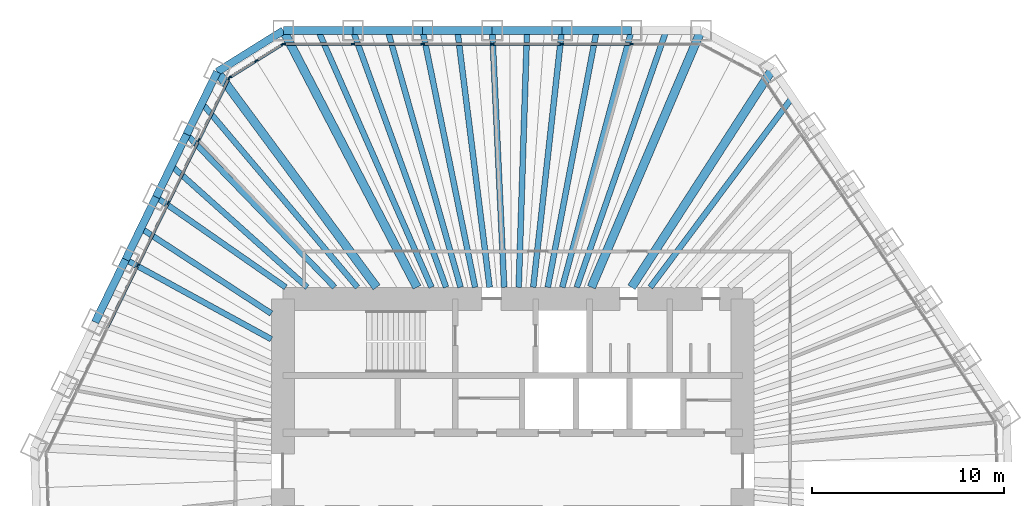
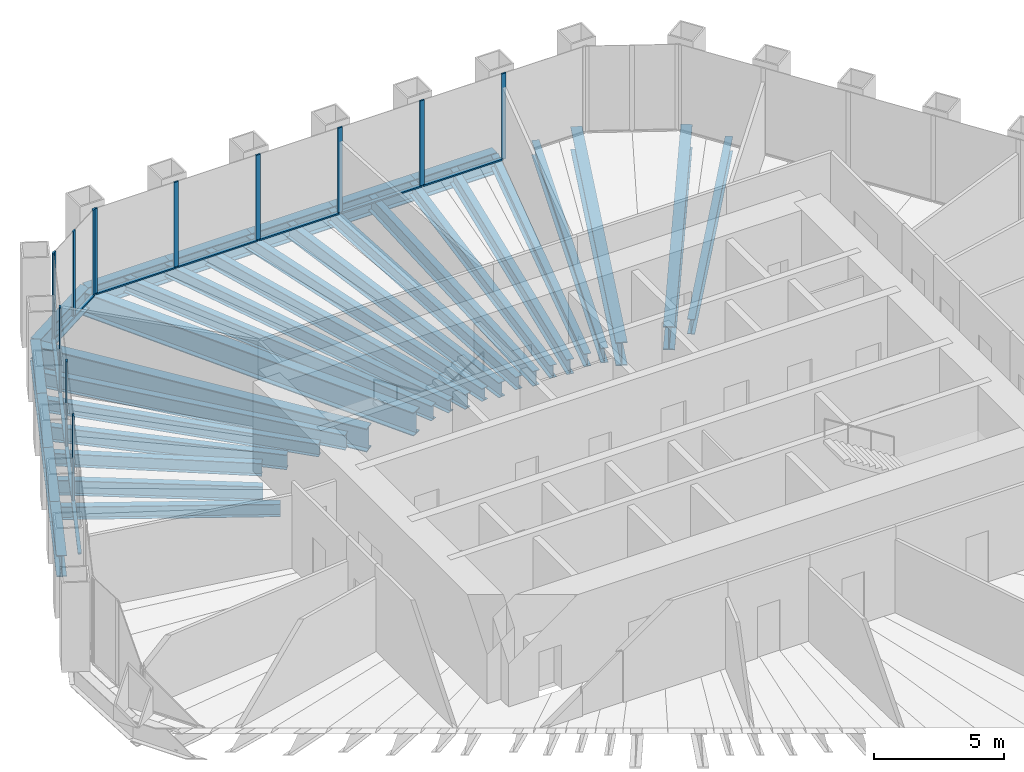
# One storey, part 6 of 13: 32 beams, 24 members, 3 elements without a shape of their own.
"""IFC4 building model written with IfcOpenShell, lengths in metres."""

from ifc_helpers import new_model, si_unit, direction, frame, origin, origin_2d, place, context, subcontext, project, spatial, rectangle, i_section, extrude, material, material_profile, profile_set, type_object, element, aggregate, save


model = new_model("IFC4")

# Units and contexts
model_context = context("Model", 3, precision=1e-05, world=origin(), true_north=direction((0.0, 1.0)))
body_context = subcontext(model_context, "Body", "Model", "MODEL_VIEW")
ifc_project = project(units=[si_unit("LENGTHUNIT", "METRE"), si_unit("AREAUNIT", "SQUARE_METRE"), si_unit("VOLUMEUNIT", "CUBIC_METRE"), si_unit("PLANEANGLEUNIT", "RADIAN"), si_unit("MASSUNIT", "GRAM", prefix="KILO")], contexts=[model_context])

# Site, building, storey
site_placement = place(None, origin())
site = spatial("IfcSite", under=ifc_project, at=site_placement, CompositionType="ELEMENT")
building_placement = place(site_placement, origin())
building = spatial("IfcBuilding", under=site, at=building_placement, Name="Qingtian Harvest Tower", CompositionType="ELEMENT")
storey_placement = place(building_placement, frame((0.0, 0.0, 209.800048828125)))
storey = spatial("IfcBuildingStorey", under=building, at=storey_placement, Name="L45", CompositionType="ELEMENT", Elevation=209.800048828125)

# Beams
ifc_material_1 = material(Name="Steel SM570MC", Category="steel")
ifc_material_profile_1 = material_profile(ifc_material_1, i_section(OverallWidth=0.449951171875, OverallDepth=1.10009765625, WebThickness=0.02197265625, FlangeThickness=0.044921875, at=origin_2d()), Name="H1100x450x22x45")
ifc_profile_set_1 = profile_set([ifc_material_profile_1], Name="Steel SM570MC")
beam_type_1 = type_object("IfcBeamType", Name="Corner floor beam FB8 H1100x450x22x45", PredefinedType="BEAM", material=ifc_profile_set_1)
beam_1_placement = place(storey_placement, frame((-11.971923828125, 23.0, -0.719970703125), z_axis=(0.461712460868, -0.887029651973, 0.0), x_axis=(0.887029651973, 0.461712460868, 0.0)))
element("IfcBeam", 1, at=beam_1_placement, inside=storey, type_object=beam_type_1, Name="Floor beam FB8 N0", PredefinedType="BEAM", context=body_context, shape_type="SweptSolid", body=[
    extrude(i_section(OverallWidth=0.449951171875, OverallDepth=1.10009765625, WebThickness=0.02197265625, FlangeThickness=0.044921875, at=origin_2d()), origin(), (0.0, 0.0, 1.0), 15.1064453125),
])
beam_2_placement = place(storey_placement, frame((9.829345703125, 23.0, -0.719970703125), z_axis=(-0.392976835482, -0.91954837109, 0.0), x_axis=(0.91954837109, -0.392976835482, 0.0)))
element("IfcBeam", 2, at=beam_2_placement, inside=storey, type_object=beam_type_1, Name="Floor beam FB8 N6", PredefinedType="BEAM", context=body_context, shape_type="SweptSolid", body=[
    extrude(i_section(OverallWidth=0.449951171875, OverallDepth=1.10009765625, WebThickness=0.02197265625, FlangeThickness=0.044921875, at=origin_2d()), origin(), (0.0, 0.0, 1.0), 14.572265625),
])
beam_3_placement = place(storey_placement, frame((13.5712890625, 21.01025390625, -0.719970703125), z_axis=(-0.542593072822, -0.839995688873, 0.0), x_axis=(0.839995688873, -0.542593072822, 0.0)))
element("IfcBeam", 3, at=beam_3_placement, inside=storey, type_object=beam_type_1, Name="Floor beam FB8 NE0", PredefinedType="BEAM", context=body_context, shape_type="SweptSolid", body=[
    extrude(i_section(OverallWidth=0.449951171875, OverallDepth=1.10009765625, WebThickness=0.02197265625, FlangeThickness=0.044921875, at=origin_2d()), origin(), (0.0, 0.0, 1.0), 13.58349609375),
])
beam_4_placement = place(storey_placement, frame((-15.424072265625, 20.8427734375, -0.719970703125), z_axis=(0.594854284538, -0.803833552526, 0.0), x_axis=(0.803833552526, 0.594854284538, 0.0)))
element("IfcBeam", 4, at=beam_4_placement, inside=storey, type_object=beam_type_1, Name="Floor beam FB8 NW6", PredefinedType="BEAM", context=body_context, shape_type="SweptSolid", body=[
    extrude(i_section(OverallWidth=0.449951171875, OverallDepth=1.10009765625, WebThickness=0.02197265625, FlangeThickness=0.044921875, at=origin_2d()), origin(), (0.0, 0.0, 1.0), 13.986328125),
])
ifc_material_2 = material(Name="Steel SN490B", Category="steel")
ifc_material_profile_2 = material_profile(ifc_material_2, i_section(OverallWidth=0.300048828125, OverallDepth=0.60009765625, WebThickness=0.011962890625, FlangeThickness=0.02001953125, at=origin_2d()), Name="H600x300x12x20")
ifc_profile_set_2 = profile_set([ifc_material_profile_2], Name="Steel SN490B")
beam_type_2 = type_object("IfcBeamType", Name="Floor beam FB3 H600x300x12x20", PredefinedType="BEAM", material=ifc_profile_set_2)
beam_5_placement = place(storey_placement, frame((-8.33837890625, 23.0, -0.469970703125), z_axis=(0.340826952705, -0.94012604916, 0.0), x_axis=(0.94012604916, 0.340826952705, 0.0)))
element("IfcBeam", 5, at=beam_5_placement, inside=storey, type_object=beam_type_2, Name="Floor beam FB3 N1", PredefinedType="BEAM", context=body_context, shape_type="SweptSolid", body=[
    extrude(i_section(OverallWidth=0.300048828125, OverallDepth=0.60009765625, WebThickness=0.011962890625, FlangeThickness=0.02001953125, at=origin_2d()), origin(), (0.0, 0.0, 1.0), 14.25341796875),
])
beam_6_placement = place(storey_placement, frame((-4.704833984375, 23.0, -0.469970703125), z_axis=(0.200401687601, -0.979713817197, 0.0), x_axis=(0.979713817197, 0.200401687601, 0.0)))
element("IfcBeam", 6, at=beam_6_placement, inside=storey, type_object=beam_type_2, Name="Floor beam FB3 N2", PredefinedType="BEAM", context=body_context, shape_type="SweptSolid", body=[
    extrude(i_section(OverallWidth=0.300048828125, OverallDepth=0.60009765625, WebThickness=0.011962890625, FlangeThickness=0.02001953125, at=origin_2d()), origin(), (0.0, 0.0, 1.0), 13.67724609375),
])
beam_7_placement = place(storey_placement, frame((-1.0712890625, 23.0, -0.469970703125), z_axis=(0.04651883736, -0.998917412888, 0.0), x_axis=(0.998917412888, 0.04651883736, 0.0)))
element("IfcBeam", 7, at=beam_7_placement, inside=storey, type_object=beam_type_2, Name="Floor beam FB3 N3", PredefinedType="BEAM", context=body_context, shape_type="SweptSolid", body=[
    extrude(i_section(OverallWidth=0.300048828125, OverallDepth=0.60009765625, WebThickness=0.011962890625, FlangeThickness=0.02001953125, at=origin_2d()), origin(), (0.0, 0.0, 1.0), 13.414306640625),
])
beam_8_placement = place(storey_placement, frame((2.562255859375, 23.0, -0.469970703125), z_axis=(-0.110727645803, -0.993850787822, 0.0), x_axis=(0.993850787822, -0.110727645803, 0.0)))
element("IfcBeam", 8, at=beam_8_placement, inside=storey, type_object=beam_type_2, Name="Floor beam FB3 N4", PredefinedType="BEAM", context=body_context, shape_type="SweptSolid", body=[
    extrude(i_section(OverallWidth=0.300048828125, OverallDepth=0.60009765625, WebThickness=0.011962890625, FlangeThickness=0.02001953125, at=origin_2d()), origin(), (0.0, 0.0, 1.0), 13.48291015625),
])
beam_9_placement = place(storey_placement, frame((6.19580078125, 23.0, -0.469970703125), z_axis=(-0.260121100906, -0.965576000563, 0.0), x_axis=(0.965576000563, -0.260121100906, 0.0)))
element("IfcBeam", 9, at=beam_9_placement, inside=storey, type_object=beam_type_2, Name="Floor beam FB3 N5", PredefinedType="BEAM", context=body_context, shape_type="SweptSolid", body=[
    extrude(i_section(OverallWidth=0.300048828125, OverallDepth=0.60009765625, WebThickness=0.011962890625, FlangeThickness=0.02001953125, at=origin_2d()), origin(), (0.0, 0.0, 1.0), 13.877685546875),
])
beam_10_placement = place(storey_placement, frame((-20.20263671875, 11.04541015625, -0.469970703125), z_axis=(0.87742673539, -0.479710666988, 0.0), x_axis=(0.479710666988, 0.87742673539, 0.0)))
element("IfcBeam", 10, at=beam_10_placement, inside=storey, type_object=beam_type_2, Name="Floor beam FB3 NW3", PredefinedType="BEAM", context=body_context, shape_type="SweptSolid", body=[
    extrude(i_section(OverallWidth=0.300048828125, OverallDepth=0.60009765625, WebThickness=0.011962890625, FlangeThickness=0.02001953125, at=origin_2d()), origin(), (0.0, 0.0, 1.0), 8.66455078125),
])
beam_11_placement = place(storey_placement, frame((-18.60986328125, 14.311279296875, -0.469970703125), z_axis=(0.820407854234, -0.571778762032, 0.0), x_axis=(0.571778762032, 0.820407854234, 0.0)))
element("IfcBeam", 11, at=beam_11_placement, inside=storey, type_object=beam_type_2, Name="Floor beam FB3 NW4", PredefinedType="BEAM", context=body_context, shape_type="SweptSolid", body=[
    extrude(i_section(OverallWidth=0.300048828125, OverallDepth=0.60009765625, WebThickness=0.011962890625, FlangeThickness=0.02001953125, at=origin_2d()), origin(), (0.0, 0.0, 1.0), 8.239501953125),
])
beam_12_placement = place(storey_placement, frame((-17.016845703125, 17.5771484375, -0.469970703125), z_axis=(0.695569024353, -0.718459276759, 0.0), x_axis=(0.718459276759, 0.695569024353, 0.0)))
element("IfcBeam", 12, at=beam_12_placement, inside=storey, type_object=beam_type_2, Name="Floor beam FB3 NW5", PredefinedType="BEAM", context=body_context, shape_type="SweptSolid", body=[
    extrude(i_section(OverallWidth=0.300048828125, OverallDepth=0.60009765625, WebThickness=0.011962890625, FlangeThickness=0.02001953125, at=origin_2d()), origin(), (0.0, 0.0, 1.0), 11.10302734375),
])
ifc_material_3 = material(Name="Steel SN490B", Category="steel")
ifc_material_profile_3 = material_profile(ifc_material_3, i_section(OverallWidth=0.300048828125, OverallDepth=0.699951171875, WebThickness=0.012939453125, FlangeThickness=0.02392578125, at=origin_2d()), Name="H700x300x13x24")
ifc_profile_set_3 = profile_set([ifc_material_profile_3], Name="Steel SN490B")
beam_type_3 = type_object("IfcBeamType", Name="Floor joist J2 H700x300x13x24", PredefinedType="JOIST", material=ifc_profile_set_3)
beam_13_placement = place(storey_placement, frame((-10.1552734375, 23.0, -0.52001953125), z_axis=(0.40391347792, -0.914797191925, 0.0), x_axis=(0.914797191925, 0.40391347792, 0.0)))
element("IfcBeam", 13, at=beam_13_placement, inside=storey, type_object=beam_type_3, Name="Floor joist J2 N0", PredefinedType="JOIST", context=body_context, shape_type="SweptSolid", body=[
    extrude(i_section(OverallWidth=0.300048828125, OverallDepth=0.699951171875, WebThickness=0.012939453125, FlangeThickness=0.02392578125, at=origin_2d()), origin(), (0.0, 0.0, 1.0), 14.64794921875),
])
beam_14_placement = place(storey_placement, frame((-6.521728515625, 23.0, -0.52001953125), z_axis=(0.272796737564, -0.962071691702, 0.0), x_axis=(0.962071691702, 0.272796737564, 0.0)))
element("IfcBeam", 14, at=beam_14_placement, inside=storey, type_object=beam_type_3, Name="Floor joist J2 N1", PredefinedType="JOIST", context=body_context, shape_type="SweptSolid", body=[
    extrude(i_section(OverallWidth=0.300048828125, OverallDepth=0.699951171875, WebThickness=0.012939453125, FlangeThickness=0.02392578125, at=origin_2d()), origin(), (0.0, 0.0, 1.0), 13.92822265625),
])
beam_15_placement = place(storey_placement, frame((-2.88818359375, 23.0, -0.52001953125), z_axis=(0.124590949529, -0.992208191508, 0.0), x_axis=(0.992208191508, 0.124590949529, 0.0)))
element("IfcBeam", 15, at=beam_15_placement, inside=storey, type_object=beam_type_3, Name="Floor joist J2 N2", PredefinedType="JOIST", context=body_context, shape_type="SweptSolid", body=[
    extrude(i_section(OverallWidth=0.300048828125, OverallDepth=0.699951171875, WebThickness=0.012939453125, FlangeThickness=0.02392578125, at=origin_2d()), origin(), (0.0, 0.0, 1.0), 13.505126953125),
])
beam_16_placement = place(storey_placement, frame((0.745361328125, 23.0, -0.52001953125), z_axis=(-0.032395624487, -0.99947512401, 0.0), x_axis=(0.99947512401, -0.032395624487, 0.0)))
element("IfcBeam", 16, at=beam_16_placement, inside=storey, type_object=beam_type_3, Name="Floor joist J2 N3", PredefinedType="JOIST", context=body_context, shape_type="SweptSolid", body=[
    extrude(i_section(OverallWidth=0.300048828125, OverallDepth=0.699951171875, WebThickness=0.012939453125, FlangeThickness=0.02392578125, at=origin_2d()), origin(), (0.0, 0.0, 1.0), 13.406982421875),
])
beam_17_placement = place(storey_placement, frame((4.37890625, 23.0, -0.52001953125), z_axis=(-0.187034797062, -0.982353289142, 0.0), x_axis=(0.982353289142, -0.187034797062, 0.0)))
element("IfcBeam", 17, at=beam_17_placement, inside=storey, type_object=beam_type_3, Name="Floor joist J2 N4", PredefinedType="JOIST", context=body_context, shape_type="SweptSolid", body=[
    extrude(i_section(OverallWidth=0.300048828125, OverallDepth=0.699951171875, WebThickness=0.012939453125, FlangeThickness=0.02392578125, at=origin_2d()), origin(), (0.0, 0.0, 1.0), 13.640625),
])
beam_18_placement = place(storey_placement, frame((8.012451171875, 23.0, -0.52001953125), z_axis=(-0.328969033283, -0.944340709247, 0.0), x_axis=(0.944340709247, -0.328969033283, 0.0)))
element("IfcBeam", 18, at=beam_18_placement, inside=storey, type_object=beam_type_3, Name="Floor joist J2 N5", PredefinedType="JOIST", context=body_context, shape_type="SweptSolid", body=[
    extrude(i_section(OverallWidth=0.300048828125, OverallDepth=0.699951171875, WebThickness=0.012939453125, FlangeThickness=0.02392578125, at=origin_2d()), origin(), (0.0, 0.0, 1.0), 14.189697265625),
])
beam_19_placement = place(storey_placement, frame((14.58740234375, 19.504150390625, -0.52001953125), z_axis=(-0.598935081494, -0.800797582511, 0.0), x_axis=(0.800797582511, -0.598935081494, 0.0)))
element("IfcBeam", 19, at=beam_19_placement, inside=storey, type_object=beam_type_3, Name="Floor joist J2 NE0", PredefinedType="JOIST", context=body_context, shape_type="SweptSolid", body=[
    extrude(i_section(OverallWidth=0.300048828125, OverallDepth=0.699951171875, WebThickness=0.012939453125, FlangeThickness=0.02392578125, at=origin_2d()), origin(), (0.0, 0.0, 1.0), 12.36767578125),
])
beam_20_placement = place(storey_placement, frame((-19.40625, 12.678466796875, -0.52001953125), z_axis=(0.837161066611, -0.546956441182, 0.0), x_axis=(0.546956441182, 0.837161066611, 0.0)))
element("IfcBeam", 20, at=beam_20_placement, inside=storey, type_object=beam_type_3, Name="Floor joist J2 NW3", PredefinedType="JOIST", context=body_context, shape_type="SweptSolid", body=[
    extrude(i_section(OverallWidth=0.300048828125, OverallDepth=0.699951171875, WebThickness=0.012939453125, FlangeThickness=0.02392578125, at=origin_2d()), origin(), (0.0, 0.0, 1.0), 8.130126953125),
])
beam_21_placement = place(storey_placement, frame((-17.813232421875, 15.944091796875, -0.52001953125), z_axis=(0.745126517589, -0.66692313859, 0.0), x_axis=(0.66692313859, 0.745126517589, 0.0)))
element("IfcBeam", 21, at=beam_21_placement, inside=storey, type_object=beam_type_3, Name="Floor joist J2 NW4", PredefinedType="JOIST", context=body_context, shape_type="SweptSolid", body=[
    extrude(i_section(OverallWidth=0.300048828125, OverallDepth=0.699951171875, WebThickness=0.012939453125, FlangeThickness=0.02392578125, at=origin_2d()), origin(), (0.0, 0.0, 1.0), 9.512451171875),
])
beam_22_placement = place(storey_placement, frame((-16.220458984375, 19.2099609375, -0.52001953125), z_axis=(0.645157903911, -0.764049264787, 0.0), x_axis=(0.764049264787, 0.645157903911, 0.0)))
element("IfcBeam", 22, at=beam_22_placement, inside=storey, type_object=beam_type_3, Name="Floor joist J2 NW5", PredefinedType="JOIST", context=body_context, shape_type="SweptSolid", body=[
    extrude(i_section(OverallWidth=0.300048828125, OverallDepth=0.699951171875, WebThickness=0.012939453125, FlangeThickness=0.02392578125, at=origin_2d()), origin(), (0.0, 0.0, 1.0), 12.57763671875),
])

# Curtain wall, members
ifc_material_4 = material(Name="Bronze-anodised aluminium curtain wall", Category="aluminium")
curtain_wall_type = type_object("IfcCurtainWallType", Name="Curtain wall CW4 office", PredefinedType="USERDEFINED", material=ifc_material_4)
curtain_wall_1_placement = place(storey_placement, origin())
curtain_wall_1 = element("IfcCurtainWall", 23, at=curtain_wall_1_placement, inside=storey, type_object=curtain_wall_type, Name="Curtain wall CW4 L45 N0-5", ObjectType="RECESSED CURTAIN WALL", PredefinedType="USERDEFINED")
ifc_material_5 = material(Name="Bronze-anodised aluminium mullion", Category="aluminium")
ifc_material_profile_4 = material_profile(ifc_material_5, rectangle(XDim=0.06494140625, YDim=0.199951171875, at=origin_2d()), Name="AL 65x200")
ifc_profile_set_4 = profile_set([ifc_material_profile_4], Name="Bronze-anodised aluminium mullion")
member_type_1 = type_object("IfcMemberType", Name="Mullion CWM 65x200", PredefinedType="MULLION", material=ifc_profile_set_4)
member_1_placement = place(storey_placement, frame((-11.939453125, 22.300048828125, 0.0), z_axis=(0.0, 0.0, 1.0), x_axis=(0.0, 1.0, 0.0)))
member_1 = element("IfcMember", 24, at=member_1_placement, type_object=member_type_1, Name="CW4 mullion 1", PredefinedType="MULLION", context=body_context, shape_type="SweptSolid", body=[
    extrude(rectangle(XDim=0.06494140625, YDim=0.199951171875, at=origin_2d()), origin(), (0.0, 0.0, 1.0), 4.030029296875),
])
member_2_placement = place(storey_placement, frame((-8.33837890625, 22.300048828125, 0.0), z_axis=(0.0, 0.0, 1.0), x_axis=(0.0, 1.0, 0.0)))
member_2 = element("IfcMember", 25, at=member_2_placement, type_object=member_type_1, Name="CW4 mullion 2", PredefinedType="MULLION", context=body_context, shape_type="SweptSolid", body=[
    extrude(rectangle(XDim=0.06494140625, YDim=0.199951171875, at=origin_2d()), origin(), (0.0, 0.0, 1.0), 4.030029296875),
])
member_3_placement = place(storey_placement, frame((-4.704833984375, 22.300048828125, 0.0), z_axis=(0.0, 0.0, 1.0), x_axis=(0.0, 1.0, 0.0)))
member_3 = element("IfcMember", 26, at=member_3_placement, type_object=member_type_1, Name="CW4 mullion 3", PredefinedType="MULLION", context=body_context, shape_type="SweptSolid", body=[
    extrude(rectangle(XDim=0.06494140625, YDim=0.199951171875, at=origin_2d()), origin(), (0.0, 0.0, 1.0), 4.030029296875),
])
member_4_placement = place(storey_placement, frame((-1.0712890625, 22.300048828125, 0.0), z_axis=(0.0, 0.0, 1.0), x_axis=(0.0, 1.0, 0.0)))
member_4 = element("IfcMember", 27, at=member_4_placement, type_object=member_type_1, Name="CW4 mullion 4", PredefinedType="MULLION", context=body_context, shape_type="SweptSolid", body=[
    extrude(rectangle(XDim=0.06494140625, YDim=0.199951171875, at=origin_2d()), origin(), (0.0, 0.0, 1.0), 4.030029296875),
])
member_5_placement = place(storey_placement, frame((2.562255859375, 22.300048828125, 0.0), z_axis=(0.0, 0.0, 1.0), x_axis=(0.0, 1.0, 0.0)))
member_5 = element("IfcMember", 28, at=member_5_placement, type_object=member_type_1, Name="CW4 mullion 5", PredefinedType="MULLION", context=body_context, shape_type="SweptSolid", body=[
    extrude(rectangle(XDim=0.06494140625, YDim=0.199951171875, at=origin_2d()), origin(), (0.0, 0.0, 1.0), 4.030029296875),
])
member_6_placement = place(storey_placement, frame((6.19580078125, 22.300048828125, 0.0), z_axis=(0.0, 0.0, 1.0), x_axis=(0.0, 1.0, 0.0)))
member_6 = element("IfcMember", 29, at=member_6_placement, type_object=member_type_1, Name="CW4 mullion 6", PredefinedType="MULLION", context=body_context, shape_type="SweptSolid", body=[
    extrude(rectangle(XDim=0.06494140625, YDim=0.199951171875, at=origin_2d()), origin(), (0.0, 0.0, 1.0), 4.030029296875),
])

curtain_wall_2_placement = place(storey_placement, origin())
curtain_wall_2 = element("IfcCurtainWall", 30, at=curtain_wall_2_placement, inside=storey, type_object=curtain_wall_type, Name="Curtain wall CW4 L45 NW0-5", ObjectType="RECESSED CURTAIN WALL", PredefinedType="USERDEFINED")
member_7_placement = place(storey_placement, frame((-19.573486328125, 10.738525390625, 0.0), z_axis=(0.0, 0.0, 1.0), x_axis=(-0.898794046299, 0.438371146789, 0.0)))
member_7 = element("IfcMember", 31, at=member_7_placement, type_object=member_type_1, Name="CW4 mullion 4", PredefinedType="MULLION", context=body_context, shape_type="SweptSolid", body=[
    extrude(rectangle(XDim=0.06494140625, YDim=0.199951171875, at=origin_2d()), origin(), (0.0, 0.0, 1.0), 4.030029296875),
])
member_8_placement = place(storey_placement, frame((-17.980712890625, 14.00439453125, 0.0), z_axis=(0.0, 0.0, 1.0), x_axis=(-0.898794046299, 0.438371146789, 0.0)))
member_8 = element("IfcMember", 32, at=member_8_placement, type_object=member_type_1, Name="CW4 mullion 5", PredefinedType="MULLION", context=body_context, shape_type="SweptSolid", body=[
    extrude(rectangle(XDim=0.06494140625, YDim=0.199951171875, at=origin_2d()), origin(), (0.0, 0.0, 1.0), 4.030029296875),
])
member_9_placement = place(storey_placement, frame((-16.3876953125, 17.270263671875, 0.0), z_axis=(0.0, 0.0, 1.0), x_axis=(-0.898794046299, 0.438371146789, 0.0)))
member_9 = element("IfcMember", 33, at=member_9_placement, type_object=member_type_1, Name="CW4 mullion 6", PredefinedType="MULLION", context=body_context, shape_type="SweptSolid", body=[
    extrude(rectangle(XDim=0.06494140625, YDim=0.199951171875, at=origin_2d()), origin(), (0.0, 0.0, 1.0), 4.030029296875),
])
member_10_placement = place(storey_placement, frame((-14.80908203125, 20.5068359375, 0.0), z_axis=(0.0, 0.0, 1.0), x_axis=(-0.898794046299, 0.438371146789, 0.0)))
member_10 = element("IfcMember", 34, at=member_10_placement, type_object=member_type_1, Name="CW4 mullion 7", PredefinedType="MULLION", context=body_context, shape_type="SweptSolid", body=[
    extrude(rectangle(XDim=0.06494140625, YDim=0.199951171875, at=origin_2d()), origin(), (0.0, 0.0, 1.0), 4.030029296875),
])

curtain_wall_3_placement = place(storey_placement, origin())
curtain_wall_3 = element("IfcCurtainWall", 35, at=curtain_wall_3_placement, inside=storey, type_object=curtain_wall_type, Name="Curtain wall CW4 L45 NWC", ObjectType="RECESSED CURTAIN WALL", PredefinedType="USERDEFINED")
member_11_placement = place(storey_placement, frame((-14.767333984375, 20.55322265625, 0.0), z_axis=(0.0, 0.0, 1.0), x_axis=(-0.529919264233, 0.848048096156, 0.0)))
member_11 = element("IfcMember", 36, at=member_11_placement, type_object=member_type_1, Name="CW4 mullion 1", PredefinedType="MULLION", context=body_context, shape_type="SweptSolid", body=[
    extrude(rectangle(XDim=0.06494140625, YDim=0.199951171875, at=origin_2d()), origin(), (0.0, 0.0, 1.0), 4.030029296875),
])
member_12_placement = place(storey_placement, frame((-13.383544921875, 21.41796875, 0.0), z_axis=(0.0, 0.0, 1.0), x_axis=(-0.529919264233, 0.848048096156, 0.0)))
member_12 = element("IfcMember", 37, at=member_12_placement, type_object=member_type_1, Name="CW4 mullion 2", PredefinedType="MULLION", context=body_context, shape_type="SweptSolid", body=[
    extrude(rectangle(XDim=0.06494140625, YDim=0.199951171875, at=origin_2d()), origin(), (0.0, 0.0, 1.0), 4.030029296875),
])
member_13_placement = place(storey_placement, frame((-11.99951171875, 22.28271484375, 0.0), z_axis=(0.0, 0.0, 1.0), x_axis=(-0.529919264233, 0.848048096156, 0.0)))
member_13 = element("IfcMember", 38, at=member_13_placement, type_object=member_type_1, Name="CW4 mullion 3", PredefinedType="MULLION", context=body_context, shape_type="SweptSolid", body=[
    extrude(rectangle(XDim=0.06494140625, YDim=0.199951171875, at=origin_2d()), origin(), (0.0, 0.0, 1.0), 4.030029296875),
])

# Beams
ifc_material_6 = material(Name="Steel SN490B", Category="steel")
ifc_material_profile_5 = material_profile(ifc_material_6, i_section(OverallWidth=0.39990234375, OverallDepth=1.0, WebThickness=0.01904296875, FlangeThickness=0.035888671875, at=origin_2d()), Name="H1000x400x19x36")
ifc_profile_set_5 = profile_set([ifc_material_profile_5], Name="Steel SN490B")
beam_type_4 = type_object("IfcBeamType", Name="Spandrel beam SB3 H1000x400x19x36", PredefinedType="SPANDREL", material=ifc_profile_set_5)
for number, where, z_axis, x_axis, name in (
    (39, (-11.971923828125, 23.0, -0.5), (1.0, 0.0, 0.0), (0.0, 1.0, 0.0), "Spandrel SB3 N0"),
    (40, (-8.33837890625, 23.0, -0.5), (1.0, 0.0, 0.0), (0.0, 1.0, 0.0), "Spandrel SB3 N1"),
    (41, (-4.704833984375, 23.0, -0.5), (1.0, 0.0, 0.0), (0.0, 1.0, 0.0), "Spandrel SB3 N2"),
    (42, (-1.0712890625, 23.0, -0.5), (1.0, 0.0, 0.0), (0.0, 1.0, 0.0), "Spandrel SB3 N3"),
    (43, (2.562255859375, 23.0, -0.5), (1.0, 0.0, 0.0), (0.0, 1.0, 0.0), "Spandrel SB3 N4"),
    (44, (-21.79541015625, 7.779541015625, -0.5), (0.438349498419, 0.898804604592, 0.0), (-0.898804604592, 0.438349498419, 0.0), "Spandrel SB3 NW2"),
    (45, (-20.20263671875, 11.04541015625, -0.5), (0.438349498419, 0.898804604592, 0.0), (-0.898804604592, 0.438349498419, 0.0), "Spandrel SB3 NW3"),
):
    element("IfcBeam", number, at=place(storey_placement, frame(where, z_axis=z_axis, x_axis=x_axis)), inside=storey, type_object=beam_type_4, Name=name, PredefinedType="SPANDREL", context=body_context, shape_type="SweptSolid", body=[
        extrude(i_section(OverallWidth=0.39990234375, OverallDepth=1.0, WebThickness=0.01904296875, FlangeThickness=0.035888671875, at=origin_2d()), origin(), (0.0, 0.0, 1.0), 3.633544921875),
    ])
beam_23_placement = place(storey_placement, frame((-18.60986328125, 14.311279296875, -0.5), z_axis=(0.438403775684, 0.898778131391, 0.0), x_axis=(-0.898778131391, 0.438403775684, 0.0)))
element("IfcBeam", 46, at=beam_23_placement, inside=storey, type_object=beam_type_4, Name="Spandrel SB3 NW4", PredefinedType="SPANDREL", context=body_context, shape_type="SweptSolid", body=[
    extrude(i_section(OverallWidth=0.39990234375, OverallDepth=1.0, WebThickness=0.01904296875, FlangeThickness=0.035888671875, at=origin_2d()), origin(), (0.0, 0.0, 1.0), 3.6337890625),
])
beam_24_placement = place(storey_placement, frame((-17.016845703125, 17.5771484375, -0.5), z_axis=(0.43837597217, 0.898791692788, 0.0), x_axis=(-0.898791692788, 0.43837597217, 0.0)))
element("IfcBeam", 47, at=beam_24_placement, inside=storey, type_object=beam_type_4, Name="Spandrel SB3 NW5", PredefinedType="SPANDREL", context=body_context, shape_type="SweptSolid", body=[
    extrude(i_section(OverallWidth=0.39990234375, OverallDepth=1.0, WebThickness=0.01904296875, FlangeThickness=0.035888671875, at=origin_2d()), origin(), (0.0, 0.0, 1.0), 3.63330078125),
])
beam_25_placement = place(storey_placement, frame((-15.424072265625, 20.8427734375, -0.5), z_axis=(0.848038733752, 0.529934246919, 0.0), x_axis=(-0.529934246919, 0.848038733752, 0.0)))
element("IfcBeam", 48, at=beam_25_placement, inside=storey, type_object=beam_type_4, Name="Spandrel SB3 NWC", PredefinedType="SPANDREL", context=body_context, shape_type="SweptSolid", body=[
    extrude(i_section(OverallWidth=0.39990234375, OverallDepth=1.0, WebThickness=0.01904296875, FlangeThickness=0.035888671875, at=origin_2d()), origin(), (0.0, 0.0, 1.0), 4.07080078125),
])

# Member
ifc_material_7 = material(Name="Bronze-anodised aluminium transom", Category="aluminium")
ifc_material_profile_6 = material_profile(ifc_material_7, rectangle(XDim=0.14990234375, YDim=0.06494140625, at=origin_2d()), Name="AL 65x150")
ifc_profile_set_6 = profile_set([ifc_material_profile_6], Name="Bronze-anodised aluminium transom")
member_type_2 = type_object("IfcMemberType", Name="Transom CWT 65x150", PredefinedType="USERDEFINED", material=ifc_profile_set_6)
member_14_placement = place(storey_placement, frame((-11.906982421875, 22.300048828125, 0.032470703125), z_axis=(1.0, 0.0, 0.0), x_axis=(0.0, 1.0, 0.0)))
member_14 = element("IfcMember", 49, at=member_14_placement, type_object=member_type_2, Name="CW4 transom 1.1", ObjectType="TRANSOM", PredefinedType="USERDEFINED", context=body_context, shape_type="SweptSolid", body=[
    extrude(rectangle(XDim=0.14990234375, YDim=0.06494140625, at=origin_2d()), origin(), (0.0, 0.0, 1.0), 3.5361328125),
])

member_15_placement = place(storey_placement, frame((-8.305908203125, 22.300048828125, 0.032470703125), z_axis=(1.0, 0.0, 0.0), x_axis=(0.0, 1.0, 0.0)))
member_15 = element("IfcMember", 50, at=member_15_placement, type_object=member_type_2, Name="CW4 transom 2.1", ObjectType="TRANSOM", PredefinedType="USERDEFINED", context=body_context, shape_type="SweptSolid", body=[
    extrude(rectangle(XDim=0.14990234375, YDim=0.06494140625, at=origin_2d()), origin(), (0.0, 0.0, 1.0), 3.568603515625),
])

member_16_placement = place(storey_placement, frame((-4.67236328125, 22.300048828125, 0.032470703125), z_axis=(1.0, 0.0, 0.0), x_axis=(0.0, 1.0, 0.0)))
member_16 = element("IfcMember", 51, at=member_16_placement, type_object=member_type_2, Name="CW4 transom 3.1", ObjectType="TRANSOM", PredefinedType="USERDEFINED", context=body_context, shape_type="SweptSolid", body=[
    extrude(rectangle(XDim=0.14990234375, YDim=0.06494140625, at=origin_2d()), origin(), (0.0, 0.0, 1.0), 3.568603515625),
])

member_17_placement = place(storey_placement, frame((-1.038818359375, 22.300048828125, 0.032470703125), z_axis=(1.0, 0.0, 0.0), x_axis=(0.0, 1.0, 0.0)))
member_17 = element("IfcMember", 52, at=member_17_placement, type_object=member_type_2, Name="CW4 transom 4.1", ObjectType="TRANSOM", PredefinedType="USERDEFINED", context=body_context, shape_type="SweptSolid", body=[
    extrude(rectangle(XDim=0.14990234375, YDim=0.06494140625, at=origin_2d()), origin(), (0.0, 0.0, 1.0), 3.568603515625),
])

member_18_placement = place(storey_placement, frame((2.5947265625, 22.300048828125, 0.032470703125), z_axis=(1.0, 0.0, 0.0), x_axis=(0.0, 1.0, 0.0)))
member_18 = element("IfcMember", 53, at=member_18_placement, type_object=member_type_2, Name="CW4 transom 5.1", ObjectType="TRANSOM", PredefinedType="USERDEFINED", context=body_context, shape_type="SweptSolid", body=[
    extrude(rectangle(XDim=0.14990234375, YDim=0.06494140625, at=origin_2d()), origin(), (0.0, 0.0, 1.0), 3.568603515625),
])

aggregate(curtain_wall_1, [member_1, member_2, member_3, member_4, member_5, member_6, member_14, member_15, member_16, member_17, member_18])

member_19_placement = place(storey_placement, frame((-21.152099609375, 7.501953125, 0.032470703125), z_axis=(0.438380500422, 0.898789484167, 0.0), x_axis=(-0.898789484167, 0.438380500422, 0.0)))
member_19 = element("IfcMember", 54, at=member_19_placement, type_object=member_type_2, Name="CW4 transom 3.1", ObjectType="TRANSOM", PredefinedType="USERDEFINED", context=body_context, shape_type="SweptSolid", body=[
    extrude(rectangle(XDim=0.14990234375, YDim=0.06494140625, at=origin_2d()), origin(), (0.0, 0.0, 1.0), 3.568603515625),
])

member_20_placement = place(storey_placement, frame((-19.559326171875, 10.767822265625, 0.032470703125), z_axis=(0.438407456795, 0.898776335818, 0.0), x_axis=(-0.898776335818, 0.438407456795, 0.0)))
member_20 = element("IfcMember", 55, at=member_20_placement, type_object=member_type_2, Name="CW4 transom 4.1", ObjectType="TRANSOM", PredefinedType="USERDEFINED", context=body_context, shape_type="SweptSolid", body=[
    extrude(rectangle(XDim=0.14990234375, YDim=0.06494140625, at=origin_2d()), origin(), (0.0, 0.0, 1.0), 3.568603515625),
])

member_21_placement = place(storey_placement, frame((-17.96630859375, 14.03369140625, 0.032470703125), z_axis=(0.438352188226, 0.898803292761, 0.0), x_axis=(-0.898803292761, 0.438352188226, 0.0)))
member_21 = element("IfcMember", 56, at=member_21_placement, type_object=member_type_2, Name="CW4 transom 5.1", ObjectType="TRANSOM", PredefinedType="USERDEFINED", context=body_context, shape_type="SweptSolid", body=[
    extrude(rectangle(XDim=0.14990234375, YDim=0.06494140625, at=origin_2d()), origin(), (0.0, 0.0, 1.0), 3.568359375),
])

member_22_placement = place(storey_placement, frame((-16.37353515625, 17.29931640625, 0.032470703125), z_axis=(0.438354255898, 0.898802284341, 0.0), x_axis=(-0.898802284341, 0.438354255898, 0.0)))
member_22 = element("IfcMember", 57, at=member_22_placement, type_object=member_type_2, Name="CW4 transom 6.1", ObjectType="TRANSOM", PredefinedType="USERDEFINED", context=body_context, shape_type="SweptSolid", body=[
    extrude(rectangle(XDim=0.14990234375, YDim=0.06494140625, at=origin_2d()), origin(), (0.0, 0.0, 1.0), 3.5361328125),
])

aggregate(curtain_wall_2, [member_7, member_8, member_9, member_10, member_19, member_20, member_21, member_22])

member_23_placement = place(storey_placement, frame((-14.73974609375, 20.570556640625, 0.032470703125), z_axis=(0.848015812303, 0.529970925697, 0.0), x_axis=(-0.529970925697, 0.848015812303, 0.0)))
member_23 = element("IfcMember", 58, at=member_23_placement, type_object=member_type_2, Name="CW4 transom 1.1", ObjectType="TRANSOM", PredefinedType="USERDEFINED", context=body_context, shape_type="SweptSolid", body=[
    extrude(rectangle(XDim=0.14990234375, YDim=0.06494140625, at=origin_2d()), origin(), (0.0, 0.0, 1.0), 1.566650390625),
])

member_24_placement = place(storey_placement, frame((-13.35595703125, 21.435302734375, 0.032470703125), z_axis=(0.848059570903, 0.529900900357, 0.0), x_axis=(-0.529900900357, 0.848059570903, 0.0)))
member_24 = element("IfcMember", 59, at=member_24_placement, type_object=member_type_2, Name="CW4 transom 2.1", ObjectType="TRANSOM", PredefinedType="USERDEFINED", context=body_context, shape_type="SweptSolid", body=[
    extrude(rectangle(XDim=0.14990234375, YDim=0.06494140625, at=origin_2d()), origin(), (0.0, 0.0, 1.0), 1.56689453125),
])

aggregate(curtain_wall_3, [member_11, member_12, member_13, member_23, member_24])

save(model, "model.ifc")
